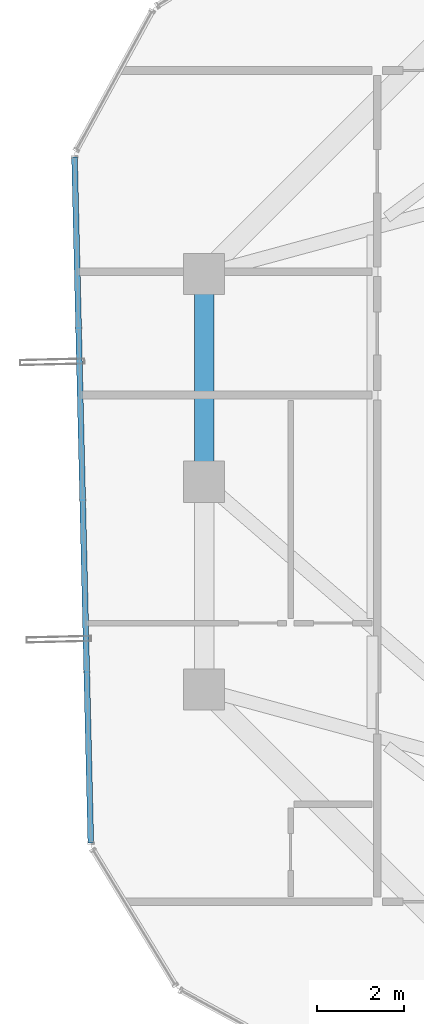
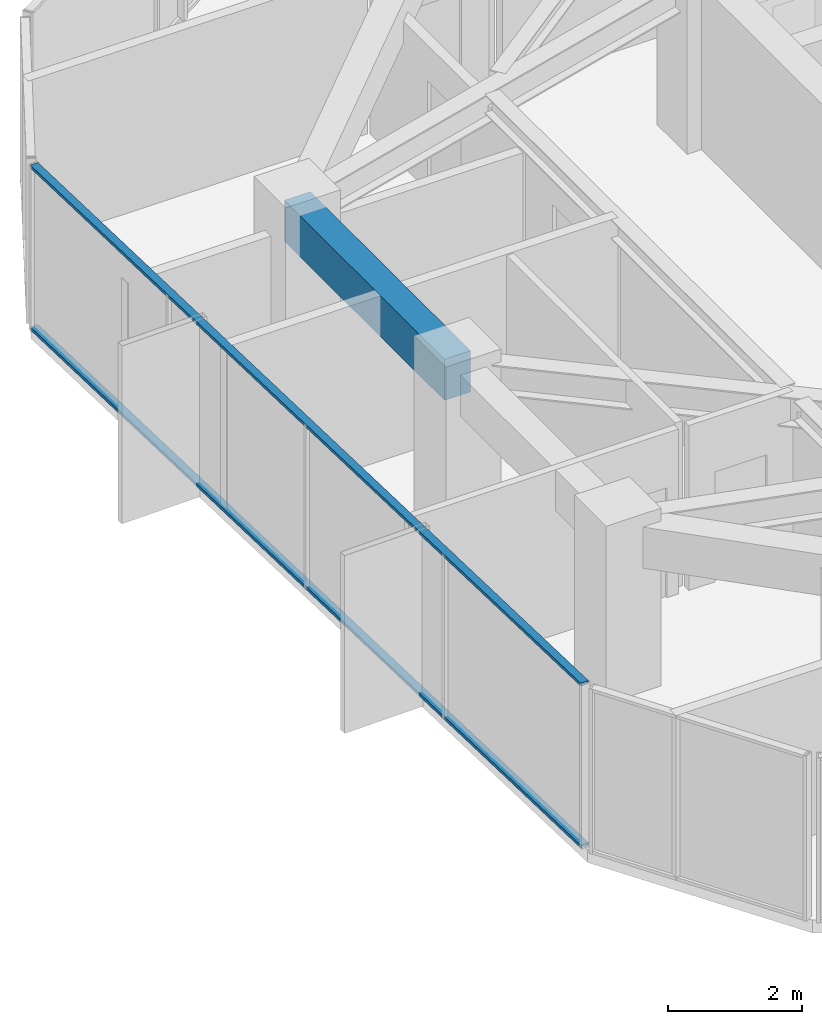
# One storey, part 13 of 32: 2 members, 1 beam, 1 element without a shape of its own.
"""IFC4 building model written with IfcOpenShell, lengths in metres."""

from ifc_helpers import new_model, si_unit, direction, frame, origin, origin_2d, place, context, subcontext, project, spatial, rectangle, hollow_rectangle, extrude, source, transform, mapped, material, layer, layer_set, material_profile, profile_set, type_object, element, aggregate, save


model = new_model("IFC4")

# Units and contexts
model_context = context("Model", 3, precision=1e-05, world=origin(), true_north=direction((0.0, 1.0)))
body_context = subcontext(model_context, "Body", "Model", "MODEL_VIEW")
ifc_project = project(units=[si_unit("LENGTHUNIT", "METRE"), si_unit("AREAUNIT", "SQUARE_METRE"), si_unit("VOLUMEUNIT", "CUBIC_METRE"), si_unit("PLANEANGLEUNIT", "RADIAN"), si_unit("MASSUNIT", "GRAM", prefix="KILO")], contexts=[model_context])

# Site, building, storey
site_placement = place(None, origin())
site = spatial("IfcSite", under=ifc_project, at=site_placement, CompositionType="ELEMENT")
building_placement = place(site_placement, origin())
building = spatial("IfcBuilding", under=site, at=building_placement, Name="Veraguas Prism Commons", CompositionType="ELEMENT")
storey_placement = place(building_placement, frame((0.0, 0.0, 201.60009765625)))
storey = spatial("IfcBuildingStorey", under=building, at=storey_placement, Name="L57", CompositionType="ELEMENT", Elevation=201.60009765625)

# Beam
ifc_material_1 = material(Name="Concrete C50/60", Category="concrete")
ifc_material_profile_1 = material_profile(ifc_material_1, rectangle(XDim=0.449951171875, YDim=0.75, at=origin_2d()), Name="RC450X750")
ifc_profile_set_1 = profile_set([ifc_material_profile_1], Name="Concrete C50/60")
beam_type = type_object("IfcBeamType", Name="Perimeter Spandrel Upper RC 450x750", PredefinedType="SPANDREL", material=ifc_profile_set_1)
beam_placement = place(storey_placement, frame((9.10009765625, 28.800048828125, 2.639892578125), z_axis=(0.0, -1.0, 0.0), x_axis=(1.0, 0.0, 0.0)))
element("IfcBeam", 1, at=beam_placement, inside=storey, type_object=beam_type, Name="Perimeter Spandrel Beam L57-SP07", PredefinedType="SPANDREL", context=body_context, shape_type="SweptSolid", body=[
    extrude(rectangle(XDim=0.449951171875, YDim=0.75, at=origin_2d()), origin(), (0.0, 0.0, 1.0), 4.800048828125),
])

# Curtain wall, members
ifc_material_2 = material(Name="Anodised aluminium EN AW-6063 T6", Category="aluminium")
ifc_layer = layer(ifc_material_2, 0.14990234375, Name="Unitised Flush Curtain Wall Zone 3", Category="aluminium")
ifc_layer_set = layer_set([ifc_layer], Name="Anodised aluminium EN AW-6063 T6")
curtain_wall_type = type_object("IfcCurtainWallType", Name="Unitised Flush Curtain Wall Zone 3", PredefinedType="NOTDEFINED", material=ifc_layer_set)
curtain_wall_placement = place(storey_placement, origin())
curtain_wall = element("IfcCurtainWall", 2, at=curtain_wall_placement, inside=storey, type_object=curtain_wall_type, Name="Tower Facade Curtain Wall L57-F3", PredefinedType="NOTDEFINED")
ifc_material_profile_2 = material_profile(ifc_material_2, hollow_rectangle(XDim=0.054931640625, YDim=0.135009765625, WallThickness=0.0029296875, at=origin_2d()), Name="AL55X135X3")
ifc_profile_set_2 = profile_set([ifc_material_profile_2], Name="Anodised aluminium EN AW-6063 T6")
member_type = type_object("IfcMemberType", Name="Curtain Wall Transom Standard AL 55x135x3", PredefinedType="USERDEFINED", material=ifc_profile_set_2)
shared_shape = source(origin(), body_context, "Body", "SweptSolid", [
    extrude(hollow_rectangle(XDim=0.054931640625, YDim=0.135009765625, WallThickness=0.0029296875, at=origin_2d()), origin(), (0.0, 0.0, 1.0), 15.84228515625),
])
member_1_placement = place(storey_placement, frame((6.106689453125, 31.49853515625, 0.02734375), z_axis=(0.02373236921, -0.999718347662, 0.0), x_axis=(0.0, 0.0, 1.0)))
member_1 = element("IfcMember", 3, at=member_1_placement, type_object=member_type, Name="CW-Z3 Transom 1", ObjectType="TRANSOM", PredefinedType="USERDEFINED", context=body_context, shape_type="MappedRepresentation", body=[
    mapped(shared_shape, transform((0.0, 0.0, 0.0), scale=1.0)),
])
member_2_placement = place(storey_placement, frame((6.106689453125, 31.49853515625, 2.9873046875), z_axis=(0.02373236921, -0.999718347662, 0.0), x_axis=(0.0, 0.0, 1.0)))
member_2 = element("IfcMember", 4, at=member_2_placement, type_object=member_type, Name="CW-Z3 Transom 2", ObjectType="TRANSOM", PredefinedType="USERDEFINED", context=body_context, shape_type="MappedRepresentation", body=[
    mapped(shared_shape, transform((0.0, 0.0, 0.0), scale=1.0)),
])
aggregate(curtain_wall, [member_1, member_2])

save(model, "model.ifc")
